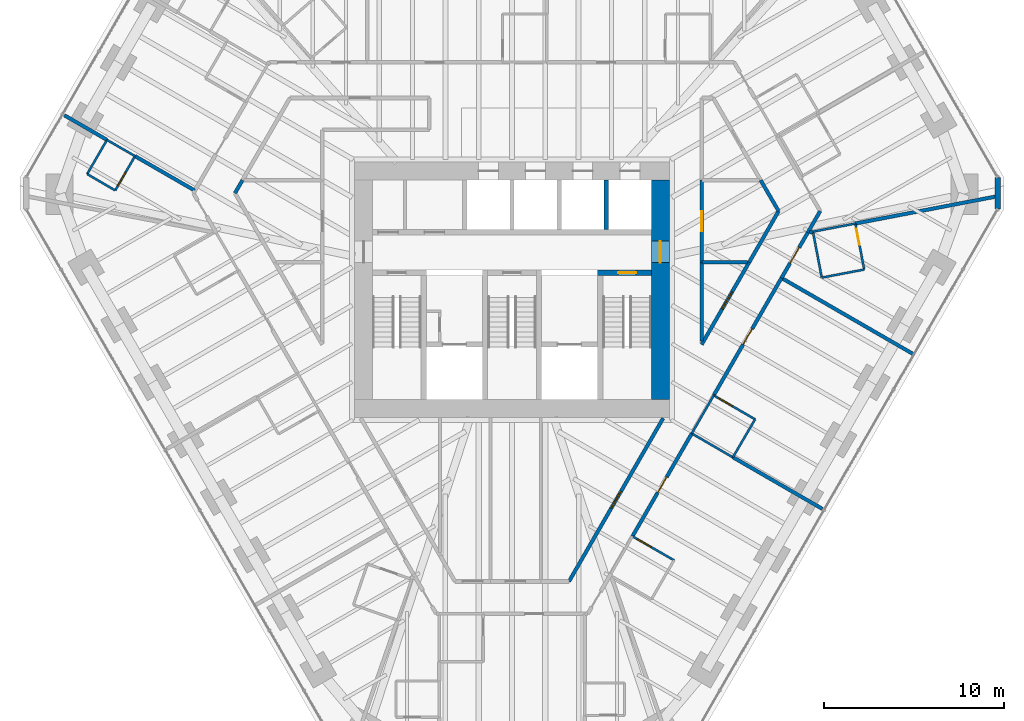
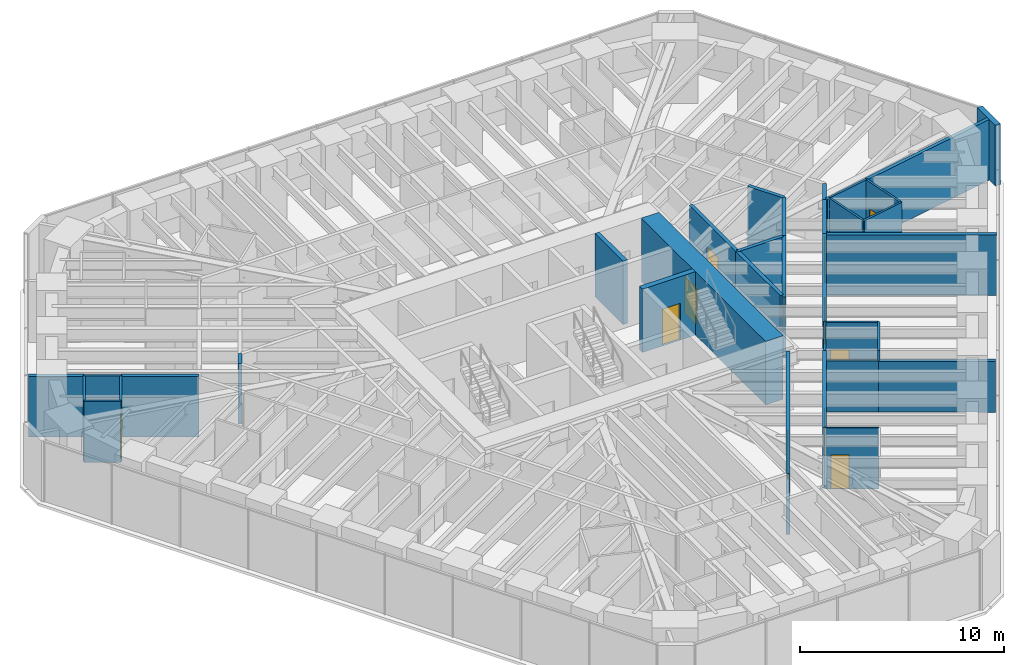
# One storey, part 13 of 16: 35 walls, 12 doors, 12 openings.
"""IFC4 building model written with IfcOpenShell, lengths in metres."""

from ifc_helpers import new_model, si_unit, direction, frame, frame_2d, origin, place, context, subcontext, project, spatial, rectangle, extrude, material, layer, layer_set, type_object, element, fill, save


model = new_model("IFC4")

# Units and contexts
model_context = context("Model", 3, precision=1e-05, world=origin(), true_north=direction((0.0, 1.0)))
body_context = subcontext(model_context, "Body", "Model", "MODEL_VIEW")
ifc_project = project(units=[si_unit("LENGTHUNIT", "METRE"), si_unit("AREAUNIT", "SQUARE_METRE"), si_unit("VOLUMEUNIT", "CUBIC_METRE"), si_unit("PLANEANGLEUNIT", "RADIAN"), si_unit("MASSUNIT", "GRAM", prefix="KILO")], contexts=[model_context])

# Site, building, storey
site_placement = place(None, origin())
site = spatial("IfcSite", under=ifc_project, at=site_placement, CompositionType="ELEMENT")
building_placement = place(site_placement, origin())
building = spatial("IfcBuilding", under=site, at=building_placement, Name="Sandreach Pilgrim Tower", CompositionType="ELEMENT")
storey_placement = place(building_placement, frame((0.0, 0.0, 209.800048828125)))
storey = spatial("IfcBuildingStorey", under=building, at=storey_placement, Name="L52", CompositionType="ELEMENT", Elevation=209.800048828125)

# Walls
ifc_material_1 = material(Name="Moisture-resistant gypsum board on steel studs", Category="steel")
ifc_layer_1 = layer(ifc_material_1, 0.1201171875)
ifc_layer_set_1 = layer_set([ifc_layer_1], Name="Bathroom partition 120")
wall_type_1 = type_object("IfcWallType", Name="Bathroom partition 120", PredefinedType="PARTITIONING", material=ifc_layer_set_1)
wall_1_placement = place(storey_placement, frame((-23.6298828125, 6.429931640625, 0.0), z_axis=(0.0, 0.0, 1.0), x_axis=(0.863773997337, -0.503879431535, 0.0)))
element("IfcWall", 1, at=wall_1_placement, inside=storey, type_object=wall_type_1, Name="Bathroom partition L52-003", PredefinedType="PARTITIONING", context=body_context, shape_type="SweptSolid", body=[
    extrude(rectangle(XDim=1.805908203125, YDim=0.1201171875, at=frame_2d((0.90283203125, 0.0))), origin(), (0.0, 0.0, 1.0), 3.639892578125),
])
wall_2_placement = place(storey_placement, frame((-22.530029296875, 8.330078125, 0.0), z_axis=(0.0, 0.0, 1.0), x_axis=(-0.500957366999, -0.865471961677, 0.0)))
element("IfcWall", 2, at=wall_2_placement, inside=storey, type_object=wall_type_1, Name="Bathroom partition L52-004", PredefinedType="PARTITIONING", context=body_context, shape_type="SweptSolid", body=[
    extrude(rectangle(XDim=2.195556640625, YDim=0.1201171875, at=frame_2d((1.09765625, 0.0))), origin(), (0.0, 0.0, 1.0), 3.639892578125),
])
wall_3_placement = place(storey_placement, frame((-22.530029296875, 8.330078125, 0.0), z_axis=(0.0, 0.0, 1.0), x_axis=(0.866158505053, -0.499769390944, 0.0)))
element("IfcWall", 3, at=wall_3_placement, inside=storey, type_object=wall_type_1, Name="Bathroom partition L52-005", PredefinedType="PARTITIONING", context=body_context, shape_type="SweptSolid", body=[
    extrude(rectangle(XDim=1.801025390625, YDim=0.1201171875, at=frame_2d((0.900390625, 0.0))), origin(), (0.0, 0.0, 1.0), 3.639892578125),
])

# Wall, opening, door
wall_4_placement = place(storey_placement, frame((-22.070068359375, 5.52001953125, 0.0), z_axis=(0.0, 0.0, 1.0), x_axis=(0.499118212815, 0.866533905648, 0.0)))
wall_4 = element("IfcWall", 4, at=wall_4_placement, inside=storey, type_object=wall_type_1, Name="Bathroom partition L52-006", PredefinedType="PARTITIONING", context=body_context, shape_type="SweptSolid", body=[
    extrude(rectangle(XDim=2.2041015625, YDim=0.1201171875, at=frame_2d((1.10205078125, 0.0))), origin(), (0.0, 0.0, 1.0), 3.639892578125),
])
opening_1_placement = place(wall_4_placement, frame((0.300048828125, 0.0, 0.0)))
opening_1 = element("IfcOpeningElement", 5, at=opening_1_placement, cuts=wall_4, Name="Opening D09-15B", PredefinedType="OPENING", context=body_context, shape_type="SweptSolid", body=[
    extrude(rectangle(XDim=0.89990234375, YDim=2.030029296875, at=frame_2d((0.449951171875, 1.01513671875))), frame((0.0, 0.06005859375, 0.0), z_axis=(0.0, -1.0, 0.0), x_axis=(1.0, 0.0, 0.0)), (0.0, 0.0, 1.0), 0.1201171875),
])
ifc_material_2 = material(Name="Timber door, steel frame", Category="steel")
door_type_1 = type_object("IfcDoorType", Name="Bathroom door", OperationType="SINGLE_SWING_LEFT", PredefinedType="DOOR", material=ifc_material_2)
door_1_placement = place(opening_1_placement, origin())
door_1 = element("IfcDoor", 6, at=door_1_placement, inside=storey, type_object=door_type_1, Name="Door 5215B", OperationType="SINGLE_SWING_LEFT", OverallHeight=2.030029296875, OverallWidth=0.89990234375, PredefinedType="DOOR", context=body_context, shape_type="SweptSolid", body=[
    extrude(rectangle(XDim=0.89990234375, YDim=2.030029296875, at=frame_2d((0.449951171875, 1.01513671875))), frame((0.0, 0.02490234375, 0.0), z_axis=(0.0, -1.0, 0.0), x_axis=(1.0, 0.0, 0.0)), (0.0, 0.0, 1.0), 0.050048828125),
])
fill(opening_1, door_1)

wall_5_placement = place(storey_placement, frame((9.010009765625, -15.050048828125, 0.0), z_axis=(0.0, 0.0, 1.0), x_axis=(-0.866615255992, 0.498976951453, 0.0)))
wall_5 = element("IfcWall", 7, at=wall_5_placement, inside=storey, type_object=wall_type_1, Name="Bathroom partition L52-105", PredefinedType="PARTITIONING", context=body_context, shape_type="SweptSolid", body=[
    extrude(rectangle(XDim=2.66552734375, YDim=0.1201171875, at=frame_2d((1.332763671875, 0.0))), origin(), (0.0, 0.0, 1.0), 3.639892578125),
])
opening_2_placement = place(wall_5_placement, frame((1.465576171875, 0.0, 0.0)))
opening_2 = element("IfcOpeningElement", 8, at=opening_2_placement, cuts=wall_5, Name="Opening D09-08B", PredefinedType="OPENING", context=body_context, shape_type="SweptSolid", body=[
    extrude(rectangle(XDim=0.89990234375, YDim=2.030029296875, at=frame_2d((0.449951171875, 1.01513671875))), frame((0.0, 0.06005859375, 0.0), z_axis=(0.0, -1.0, 0.0), x_axis=(1.0, 0.0, 0.0)), (0.0, 0.0, 1.0), 0.1201171875),
])
door_2_placement = place(opening_2_placement, origin())
door_2 = element("IfcDoor", 9, at=door_2_placement, inside=storey, type_object=door_type_1, Name="Door 5208B", OperationType="SINGLE_SWING_RIGHT", OverallHeight=2.030029296875, OverallWidth=0.89990234375, PredefinedType="DOOR", context=body_context, shape_type="SweptSolid", body=[
    extrude(rectangle(XDim=0.89990234375, YDim=2.030029296875, at=frame_2d((0.449951171875, 1.01513671875))), frame((0.0, 0.02490234375, 0.0), z_axis=(0.0, -1.0, 0.0), x_axis=(1.0, 0.0, 0.0)), (0.0, 0.0, 1.0), 0.050048828125),
])
fill(opening_2, door_2)

# Walls
wall_6_placement = place(storey_placement, frame((9.9990234375, -7.99951171875, 0.0), z_axis=(0.0, 0.0, 1.0), x_axis=(0.49917796633, 0.866499485245, 0.0)))
element("IfcWall", 10, at=wall_6_placement, inside=storey, type_object=wall_type_1, Name="Bathroom partition L52-106", PredefinedType="PARTITIONING", context=body_context, shape_type="SweptSolid", body=[
    extrude(rectangle(XDim=2.44580078125, YDim=0.1201171875, at=frame_2d((1.222900390625, 0.0))), origin(), (0.0, 0.0, 1.0), 3.639892578125),
])
wall_7_placement = place(storey_placement, frame((12.2900390625, -9.330078125, 0.0), z_axis=(0.0, 0.0, 1.0), x_axis=(-0.864726954997, 0.502242265546, 0.0)))
element("IfcWall", 11, at=wall_7_placement, inside=storey, type_object=wall_type_1, Name="Bathroom partition L52-118", PredefinedType="PARTITIONING", context=body_context, shape_type="SweptSolid", body=[
    extrude(rectangle(XDim=2.648193359375, YDim=0.1201171875, at=frame_2d((1.32421875, 0.0))), origin(), (0.0, 0.0, 1.0), 3.0380859375),
])
wall_8_placement = place(storey_placement, frame((12.2900390625, -9.320068359375, 0.0), z_axis=(0.0, 0.0, 1.0), x_axis=(0.503591322258, 0.863942000453, 0.0)))
element("IfcWall", 12, at=wall_8_placement, inside=storey, type_object=wall_type_1, Name="Bathroom partition L52-119", PredefinedType="PARTITIONING", context=body_context, shape_type="SweptSolid", body=[
    extrude(rectangle(XDim=2.4423828125, YDim=0.1201171875, at=frame_2d((1.22119140625, 0.0))), origin(), (0.0, 0.0, 1.0), 3.639892578125),
])

# Wall, opening, door
wall_9_placement = place(storey_placement, frame((13.52001953125, -7.2099609375, 0.0), z_axis=(0.0, 0.0, 1.0), x_axis=(-0.865675724273, 0.500605174168, 0.0)))
wall_9 = element("IfcWall", 13, at=wall_9_placement, inside=storey, type_object=wall_type_1, Name="Bathroom partition L52-124", PredefinedType="PARTITIONING", context=body_context, shape_type="SweptSolid", body=[
    extrude(rectangle(XDim=2.656982421875, YDim=0.1201171875, at=frame_2d((1.32861328125, 0.0))), origin(), (0.0, 0.0, 1.0), 3.639892578125),
])
opening_3_placement = place(wall_9_placement, frame((1.456787109375, 0.0, 0.0)))
opening_3 = element("IfcOpeningElement", 14, at=opening_3_placement, cuts=wall_9, Name="Opening D09-07B", PredefinedType="OPENING", context=body_context, shape_type="SweptSolid", body=[
    extrude(rectangle(XDim=0.89990234375, YDim=2.030029296875, at=frame_2d((0.449951171875, 1.01513671875))), frame((0.0, 0.06005859375, 0.0), z_axis=(0.0, -1.0, 0.0), x_axis=(1.0, 0.0, 0.0)), (0.0, 0.0, 1.0), 0.1201171875),
])
door_3_placement = place(opening_3_placement, origin())
door_3 = element("IfcDoor", 15, at=door_3_placement, inside=storey, type_object=door_type_1, Name="Door 5207B", OperationType="SINGLE_SWING_RIGHT", OverallHeight=2.030029296875, OverallWidth=0.89990234375, PredefinedType="DOOR", context=body_context, shape_type="SweptSolid", body=[
    extrude(rectangle(XDim=0.89990234375, YDim=2.030029296875, at=frame_2d((0.449951171875, 1.01513671875))), frame((0.0, 0.02490234375, 0.0), z_axis=(0.0, -1.0, 0.0), x_axis=(1.0, 0.0, 0.0)), (0.0, 0.0, 1.0), 0.050048828125),
])
fill(opening_3, door_3)

# Walls
wall_10_placement = place(storey_placement, frame((16.739013671875, 3.22509765625, 0.0), z_axis=(0.0, 0.0, 1.0), x_axis=(0.981946287277, 0.189159955868, 0.0)))
element("IfcWall", 16, at=wall_10_placement, inside=storey, type_object=wall_type_1, Name="Bathroom partition L52-137", PredefinedType="PARTITIONING", context=body_context, shape_type="SweptSolid", body=[
    extrude(rectangle(XDim=2.404541015625, YDim=0.1201171875, at=frame_2d((1.2021484375, 0.0))), origin(), (0.0, 0.0, 1.0), 3.639892578125),
])
wall_11_placement = place(storey_placement, frame((16.739990234375, 3.219970703125, 0.0), z_axis=(0.0, 0.0, 1.0), x_axis=(0.188697442844, -0.982035271802, 0.0)))
element("IfcWall", 17, at=wall_11_placement, inside=storey, type_object=wall_type_1, Name="Bathroom partition L52-138", PredefinedType="PARTITIONING", context=body_context, shape_type="SweptSolid", body=[
    extrude(rectangle(XDim=2.5966796875, YDim=0.1201171875, at=frame_2d((1.29833984375, 0.0))), origin(), (0.0, 0.0, 1.0), 3.639892578125),
])
wall_12_placement = place(storey_placement, frame((17.22998046875, 0.669921875, 0.0), z_axis=(0.0, 0.0, 1.0), x_axis=(0.982288725898, 0.187373581313, 0.0)))
element("IfcWall", 18, at=wall_12_placement, inside=storey, type_object=wall_type_1, Name="Bathroom partition L52-143", PredefinedType="PARTITIONING", context=body_context, shape_type="SweptSolid", body=[
    extrude(rectangle(XDim=2.402587890625, YDim=0.1201171875, at=frame_2d((1.201171875, 0.0))), origin(), (0.0, 0.0, 1.0), 3.639892578125),
])

# Wall, opening, door
wall_13_placement = place(storey_placement, frame((19.590087890625, 1.1201171875, 0.0), z_axis=(0.0, 0.0, 1.0), x_axis=(-0.188003058159, 0.982168442846, 0.0)))
wall_13 = element("IfcWall", 19, at=wall_13_placement, inside=storey, type_object=wall_type_1, Name="Bathroom partition L52-146", PredefinedType="PARTITIONING", context=body_context, shape_type="SweptSolid", body=[
    extrude(rectangle(XDim=2.606201171875, YDim=0.1201171875, at=frame_2d((1.30322265625, 0.0))), origin(), (0.0, 0.0, 1.0), 3.639892578125),
])
opening_4_placement = place(wall_13_placement, frame((1.406494140625, 0.0, 0.0)))
opening_4 = element("IfcOpeningElement", 20, at=opening_4_placement, cuts=wall_13, Name="Opening D09-06B", PredefinedType="OPENING", context=body_context, shape_type="SweptSolid", body=[
    extrude(rectangle(XDim=0.89990234375, YDim=2.030029296875, at=frame_2d((0.449951171875, 1.01513671875))), frame((0.0, 0.06005859375, 0.0), z_axis=(0.0, -1.0, 0.0), x_axis=(1.0, 0.0, 0.0)), (0.0, 0.0, 1.0), 0.1201171875),
])
door_4_placement = place(opening_4_placement, origin())
door_4 = element("IfcDoor", 21, at=door_4_placement, inside=storey, type_object=door_type_1, Name="Door 5206B", OperationType="SINGLE_SWING_RIGHT", OverallHeight=2.030029296875, OverallWidth=0.89990234375, PredefinedType="DOOR", context=body_context, shape_type="SweptSolid", body=[
    extrude(rectangle(XDim=0.89990234375, YDim=2.030029296875, at=frame_2d((0.449951171875, 1.01513671875))), frame((0.0, 0.02490234375, 0.0), z_axis=(0.0, -1.0, 0.0), x_axis=(1.0, 0.0, 0.0)), (0.0, 0.0, 1.0), 0.050048828125),
])
fill(opening_4, door_4)

ifc_material_3 = material(Name="Concrete 10000 psi", Category="concrete")
ifc_layer_2 = layer(ifc_material_3, 0.300048828125)
ifc_layer_set_2 = layer_set([ifc_layer_2], Name="Core inner wall 300")
wall_type_2 = type_object("IfcWallType", Name="Core inner wall 300", PredefinedType="SHEAR", material=ifc_layer_set_2)
wall_14_placement = place(storey_placement, frame((4.75, 0.949951171875, 0.0), z_axis=(0.0, 0.0, 1.0), x_axis=(1.0, 0.0, 0.0)))
wall_14 = element("IfcWall", 22, at=wall_14_placement, inside=storey, type_object=wall_type_2, Name="Core wall SN2 L52", PredefinedType="SHEAR", context=body_context, shape_type="SweptSolid", body=[
    extrude(rectangle(XDim=3.0, YDim=0.300048828125, at=frame_2d((1.5, 0.0))), origin(), (0.0, 0.0, 1.0), 3.800048828125),
])
opening_5_placement = place(wall_14_placement, frame((1.14990234375, 0.0, 0.0)))
opening_5 = element("IfcOpeningElement", 23, at=opening_5_placement, cuts=wall_14, Name="Opening D10S-ST2", PredefinedType="OPENING", context=body_context, shape_type="SweptSolid", body=[
    extrude(rectangle(XDim=1.0, YDim=2.199951171875, at=frame_2d((0.5, 1.10009765625))), frame((0.0, 0.14990234375, 0.0), z_axis=(0.0, -1.0, 0.0), x_axis=(1.0, 0.0, 0.0)), (0.0, 0.0, 1.0), 0.300048828125),
])
ifc_material_4 = material(Name="Steel door and frame", Category="steel")
door_type_2 = type_object("IfcDoorType", Name="Stair door", OperationType="SINGLE_SWING_LEFT", PredefinedType="DOOR", material=ifc_material_4)
door_5_placement = place(opening_5_placement, origin())
door_5 = element("IfcDoor", 24, at=door_5_placement, inside=storey, type_object=door_type_2, Name="Stair door ST2 L52", OperationType="SINGLE_SWING_RIGHT", OverallHeight=2.199951171875, OverallWidth=1.0, PredefinedType="DOOR", context=body_context, shape_type="SweptSolid", body=[
    extrude(rectangle(XDim=1.0, YDim=2.199951171875, at=frame_2d((0.5, 1.10009765625))), frame((0.0, 0.02490234375, 0.0), z_axis=(0.0, -1.0, 0.0), x_axis=(1.0, 0.0, 0.0)), (0.0, 0.0, 1.0), 0.050048828125),
])
fill(opening_5, door_5)

ifc_material_5 = material(Name="Concrete 10000 psi", Category="concrete")
ifc_layer_3 = layer(ifc_material_5, 1.0)
ifc_layer_set_3 = layer_set([ifc_layer_3], Name="Core wall 1000")
wall_type_3 = type_object("IfcWallType", Name="Core wall 1000", PredefinedType="SHEAR", material=ifc_layer_set_3)
wall_15_placement = place(storey_placement, frame((8.25, -6.10009765625, 0.0), z_axis=(0.0, 0.0, 1.0), x_axis=(0.0, 1.0, 0.0)))
wall_15 = element("IfcWall", 25, at=wall_15_placement, inside=storey, type_object=wall_type_3, Name="Core wall E L52", PredefinedType="SHEAR", context=body_context, shape_type="SweptSolid", body=[
    extrude(rectangle(XDim=12.2001953125, YDim=1.0, at=frame_2d((6.10009765625, 0.0))), origin(), (0.0, 0.0, 1.0), 3.800048828125),
])
opening_6_placement = place(wall_15_placement, frame((7.60009765625, 0.0, 0.0)))
opening_6 = element("IfcOpeningElement", 26, at=opening_6_placement, cuts=wall_15, Name="Opening D12F-E", PredefinedType="OPENING", context=body_context, shape_type="SweptSolid", body=[
    extrude(rectangle(XDim=1.199951171875, YDim=2.199951171875, at=frame_2d((0.60009765625, 1.10009765625))), frame((0.0, 0.5, 0.0), z_axis=(0.0, -1.0, 0.0), x_axis=(1.0, 0.0, 0.0)), (0.0, 0.0, 1.0), 1.0),
])
ifc_material_6 = material(Name="Steel door and frame", Category="steel")
door_type_3 = type_object("IfcDoorType", Name="Fire lobby door", OperationType="SINGLE_SWING_LEFT", PredefinedType="DOOR", material=ifc_material_6)
door_6_placement = place(opening_6_placement, origin())
door_6 = element("IfcDoor", 27, at=door_6_placement, inside=storey, type_object=door_type_3, Name="Fire service lobby door E L52", OperationType="SINGLE_SWING_RIGHT", OverallHeight=2.199951171875, OverallWidth=1.199951171875, PredefinedType="DOOR", context=body_context, shape_type="SweptSolid", body=[
    extrude(rectangle(XDim=1.199951171875, YDim=2.199951171875, at=frame_2d((0.60009765625, 1.10009765625))), frame((0.0, 0.02490234375, 0.0), z_axis=(0.0, -1.0, 0.0), x_axis=(1.0, 0.0, 0.0)), (0.0, 0.0, 1.0), 0.050048828125),
])
fill(opening_6, door_6)

# Wall
ifc_material_7 = material(Name="Gypsum board on steel studs, two layers each side", Category="steel")
ifc_layer_4 = layer(ifc_material_7, 0.199951171875)
ifc_layer_set_4 = layer_set([ifc_layer_4], Name="Corridor wall 200")
wall_type_4 = type_object("IfcWallType", Name="Corridor wall 200", PredefinedType="PARTITIONING", material=ifc_layer_set_4)
wall_16_placement = place(storey_placement, frame((-15.409912109375, 5.3701171875, 0.0), z_axis=(0.0, 0.0, 1.0), x_axis=(0.503943891868, 0.863736391412, 0.0)))
element("IfcWall", 28, at=wall_16_placement, inside=storey, type_object=wall_type_4, Name="Corridor wall L52-026", PredefinedType="PARTITIONING", context=body_context, shape_type="SweptSolid", body=[
    extrude(rectangle(XDim=0.833251953125, YDim=0.199951171875, at=frame_2d((0.41650390625, 0.0))), origin(), (0.0, 0.0, 1.0), 3.639892578125),
])

# Wall, opening, door
wall_17_placement = place(storey_placement, frame((6.699951171875, -13.719970703125, 0.0), z_axis=(0.0, 0.0, 1.0), x_axis=(0.499729921425, 0.866181277581, 0.0)))
wall_17 = element("IfcWall", 29, at=wall_17_placement, inside=storey, type_object=wall_type_4, Name="Corridor wall L52-100", PredefinedType="PARTITIONING", context=body_context, shape_type="SweptSolid", body=[
    extrude(rectangle(XDim=6.603759765625, YDim=0.199951171875, at=frame_2d((3.3017578125, 0.0))), origin(), (0.0, 0.0, 1.0), 3.639892578125),
])
opening_7_placement = place(wall_17_placement, frame((2.8017578125, 0.0, 0.0)))
opening_7 = element("IfcOpeningElement", 30, at=opening_7_placement, cuts=wall_17, Name="Opening D10-08", PredefinedType="OPENING", context=body_context, shape_type="SweptSolid", body=[
    extrude(rectangle(XDim=1.0, YDim=2.1298828125, at=frame_2d((0.5, 1.06494140625))), frame((0.0, 0.10009765625, 0.0), z_axis=(0.0, -1.0, 0.0), x_axis=(1.0, 0.0, 0.0)), (0.0, 0.0, 1.0), 0.199951171875),
])
ifc_material_8 = material(Name="Steel door and frame", Category="steel")
door_type_4 = type_object("IfcDoorType", Name="Guest room entry door", OperationType="SINGLE_SWING_LEFT", PredefinedType="DOOR", material=ifc_material_8)
door_7_placement = place(opening_7_placement, origin())
door_7 = element("IfcDoor", 31, at=door_7_placement, inside=storey, type_object=door_type_4, Name="Door 5208", OperationType="SINGLE_SWING_LEFT", OverallHeight=2.1298828125, OverallWidth=1.0, PredefinedType="DOOR", context=body_context, shape_type="SweptSolid", body=[
    extrude(rectangle(XDim=1.0, YDim=2.1298828125, at=frame_2d((0.5, 1.06494140625))), frame((0.0, 0.02490234375, 0.0), z_axis=(0.0, -1.0, 0.0), x_axis=(1.0, 0.0, 0.0)), (0.0, 0.0, 1.0), 0.050048828125),
])
fill(opening_7, door_7)

wall_18_placement = place(storey_placement, frame((8.409912109375, -7.14990234375, 0.0), z_axis=(0.0, 0.0, 1.0), x_axis=(-0.499828628176, -0.866124322748, 0.0)))
wall_18 = element("IfcWall", 32, at=wall_18_placement, inside=storey, type_object=wall_type_4, Name="Corridor wall L52-102", PredefinedType="PARTITIONING", context=body_context, shape_type="SweptSolid", body=[
    extrude(rectangle(XDim=10.483642578125, YDim=0.199951171875, at=frame_2d((5.24169921875, 0.0))), origin(), (0.0, 0.0, 1.0), 3.639892578125),
])
opening_8_placement = place(wall_18_placement, frame((4.691650390625, 0.0, 0.0)))
opening_8 = element("IfcOpeningElement", 33, at=opening_8_placement, cuts=wall_18, Name="Opening D11H-S4", PredefinedType="OPENING", context=body_context, shape_type="SweptSolid", body=[
    extrude(rectangle(XDim=1.10009765625, YDim=2.199951171875, at=frame_2d((0.550048828125, 1.10009765625))), frame((0.0, 0.10009765625, 0.0), z_axis=(0.0, -1.0, 0.0), x_axis=(1.0, 0.0, 0.0)), (0.0, 0.0, 1.0), 0.199951171875),
])
ifc_material_9 = material(Name="Steel door and frame", Category="steel")
door_type_5 = type_object("IfcDoorType", Name="Back of house door", OperationType="SINGLE_SWING_LEFT", PredefinedType="DOOR", material=ifc_material_9)
door_8_placement = place(opening_8_placement, origin())
door_8 = element("IfcDoor", 34, at=door_8_placement, inside=storey, type_object=door_type_5, Name="Door 52S4", OperationType="SINGLE_SWING_LEFT", OverallHeight=2.199951171875, OverallWidth=1.10009765625, PredefinedType="DOOR", context=body_context, shape_type="SweptSolid", body=[
    extrude(rectangle(XDim=1.10009765625, YDim=2.199951171875, at=frame_2d((0.550048828125, 1.10009765625))), frame((0.0, 0.02490234375, 0.0), z_axis=(0.0, -1.0, 0.0), x_axis=(1.0, 0.0, 0.0)), (0.0, 0.0, 1.0), 0.050048828125),
])
fill(opening_8, door_8)

# Wall
wall_19_placement = place(storey_placement, frame((10.550048828125, -2.85498046875, 0.0), z_axis=(0.0, 0.0, 1.0), x_axis=(0.0, 1.0, 0.0)))
element("IfcWall", 35, at=wall_19_placement, inside=storey, type_object=wall_type_4, Name="Corridor wall L52-107", PredefinedType="PARTITIONING", context=body_context, shape_type="SweptSolid", body=[
    extrude(rectangle(XDim=4.375, YDim=0.199951171875, at=frame_2d((2.1875, 0.0))), origin(), (0.0, 0.0, 1.0), 3.639892578125),
])

# Wall, opening, door
wall_20_placement = place(storey_placement, frame((10.550048828125, 1.52001953125, 0.0), z_axis=(0.0, 0.0, 1.0), x_axis=(0.0, 1.0, 0.0)))
wall_20 = element("IfcWall", 36, at=wall_20_placement, inside=storey, type_object=wall_type_4, Name="Corridor wall L52-108", PredefinedType="PARTITIONING", context=body_context, shape_type="SweptSolid", body=[
    extrude(rectangle(XDim=4.570068359375, YDim=0.199951171875, at=frame_2d((2.28515625, 0.0))), origin(), (0.0, 0.0, 1.0), 3.639892578125),
])
opening_9_placement = place(wall_20_placement, frame((1.735107421875, 0.0, 0.0)))
opening_9 = element("IfcOpeningElement", 37, at=opening_9_placement, cuts=wall_20, Name="Opening D11H-M06", PredefinedType="OPENING", context=body_context, shape_type="SweptSolid", body=[
    extrude(rectangle(XDim=1.10009765625, YDim=2.199951171875, at=frame_2d((0.550048828125, 1.10009765625))), frame((0.0, 0.10009765625, 0.0), z_axis=(0.0, -1.0, 0.0), x_axis=(1.0, 0.0, 0.0)), (0.0, 0.0, 1.0), 0.199951171875),
])
door_9_placement = place(opening_9_placement, origin())
door_9 = element("IfcDoor", 38, at=door_9_placement, inside=storey, type_object=door_type_5, Name="Door 52M06", OperationType="SINGLE_SWING_LEFT", OverallHeight=2.199951171875, OverallWidth=1.10009765625, PredefinedType="DOOR", context=body_context, shape_type="SweptSolid", body=[
    extrude(rectangle(XDim=1.10009765625, YDim=2.199951171875, at=frame_2d((0.550048828125, 1.10009765625))), frame((0.0, 0.02490234375, 0.0), z_axis=(0.0, -1.0, 0.0), x_axis=(1.0, 0.0, 0.0)), (0.0, 0.0, 1.0), 0.050048828125),
])
fill(opening_9, door_9)

wall_21_placement = place(storey_placement, frame((11.219970703125, -5.8798828125, 0.0), z_axis=(0.0, 0.0, 1.0), x_axis=(0.500004606796, 0.866022744033, 0.0)))
wall_21 = element("IfcWall", 39, at=wall_21_placement, inside=storey, type_object=wall_type_4, Name="Corridor wall L52-117", PredefinedType="PARTITIONING", context=body_context, shape_type="SweptSolid", body=[
    extrude(rectangle(XDim=7.5400390625, YDim=0.199951171875, at=frame_2d((3.77001953125, 0.0))), origin(), (0.0, 0.0, 1.0), 3.639892578125),
])
opening_10_placement = place(wall_21_placement, frame((3.27001953125, 0.0, 0.0)))
opening_10 = element("IfcOpeningElement", 40, at=opening_10_placement, cuts=wall_21, Name="Opening D10-07", PredefinedType="OPENING", context=body_context, shape_type="SweptSolid", body=[
    extrude(rectangle(XDim=1.0, YDim=2.1298828125, at=frame_2d((0.5, 1.06494140625))), frame((0.0, 0.10009765625, 0.0), z_axis=(0.0, -1.0, 0.0), x_axis=(1.0, 0.0, 0.0)), (0.0, 0.0, 1.0), 0.199951171875),
])
door_10_placement = place(opening_10_placement, origin())
door_10 = element("IfcDoor", 41, at=door_10_placement, inside=storey, type_object=door_type_4, Name="Door 5207", OperationType="SINGLE_SWING_LEFT", OverallHeight=2.1298828125, OverallWidth=1.0, PredefinedType="DOOR", context=body_context, shape_type="SweptSolid", body=[
    extrude(rectangle(XDim=1.0, YDim=2.1298828125, at=frame_2d((0.5, 1.06494140625))), frame((0.0, 0.02490234375, 0.0), z_axis=(0.0, -1.0, 0.0), x_axis=(1.0, 0.0, 0.0)), (0.0, 0.0, 1.0), 0.050048828125),
])
fill(opening_10, door_10)

wall_22_placement = place(storey_placement, frame((13.18994140625, 1.52001953125, 0.0), z_axis=(0.0, 0.0, 1.0), x_axis=(-0.500193590286, -0.865913605527, 0.0)))
wall_22 = element("IfcWall", 42, at=wall_22_placement, inside=storey, type_object=wall_type_4, Name="Corridor wall L52-123", PredefinedType="PARTITIONING", context=body_context, shape_type="SweptSolid", body=[
    extrude(rectangle(XDim=5.27783203125, YDim=0.199951171875, at=frame_2d((2.638916015625, 0.0))), origin(), (0.0, 0.0, 1.0), 3.639892578125),
])
opening_11_placement = place(wall_22_placement, frame((1.89990234375, 0.0, 0.0)))
opening_11 = element("IfcOpeningElement", 43, at=opening_11_placement, cuts=wall_22, Name="Opening D11H-M04", PredefinedType="OPENING", context=body_context, shape_type="SweptSolid", body=[
    extrude(rectangle(XDim=1.10009765625, YDim=2.199951171875, at=frame_2d((0.550048828125, 1.10009765625))), frame((0.0, 0.10009765625, 0.0), z_axis=(0.0, -1.0, 0.0), x_axis=(1.0, 0.0, 0.0)), (0.0, 0.0, 1.0), 0.199951171875),
])
door_11_placement = place(opening_11_placement, origin())
door_11 = element("IfcDoor", 44, at=door_11_placement, inside=storey, type_object=door_type_5, Name="Door 52M04", OperationType="SINGLE_SWING_LEFT", OverallHeight=2.199951171875, OverallWidth=1.10009765625, PredefinedType="DOOR", context=body_context, shape_type="SweptSolid", body=[
    extrude(rectangle(XDim=1.10009765625, YDim=2.199951171875, at=frame_2d((0.550048828125, 1.10009765625))), frame((0.0, 0.02490234375, 0.0), z_axis=(0.0, -1.0, 0.0), x_axis=(1.0, 0.0, 0.0)), (0.0, 0.0, 1.0), 0.050048828125),
])
fill(opening_11, door_11)

# Walls
wall_23_placement = place(storey_placement, frame((13.830078125, 6.090087890625, 0.0), z_axis=(0.0, 0.0, 1.0), x_axis=(0.502573539539, -0.864534462792, 0.0)))
element("IfcWall", 45, at=wall_23_placement, inside=storey, type_object=wall_type_4, Name="Corridor wall L52-127", PredefinedType="PARTITIONING", context=body_context, shape_type="SweptSolid", body=[
    extrude(rectangle(XDim=1.98974609375, YDim=0.199951171875, at=frame_2d((0.994873046875, 0.0))), origin(), (0.0, 0.0, 1.0), 3.639892578125),
])
wall_24_placement = place(storey_placement, frame((14.830078125, 4.3701171875, 0.0), z_axis=(0.0, 0.0, 1.0), x_axis=(-0.498775186059, -0.866731396554, 0.0)))
element("IfcWall", 46, at=wall_24_placement, inside=storey, type_object=wall_type_4, Name="Corridor wall L52-129", PredefinedType="PARTITIONING", context=body_context, shape_type="SweptSolid", body=[
    extrude(rectangle(XDim=3.288330078125, YDim=0.199951171875, at=frame_2d((1.64404296875, 0.0))), origin(), (0.0, 0.0, 1.0), 3.639892578125),
])

# Wall, opening, door
wall_25_placement = place(storey_placement, frame((14.989990234375, 0.650146484375, 0.0), z_axis=(0.0, 0.0, 1.0), x_axis=(0.501330358107, 0.865255957529, 0.0)))
wall_25 = element("IfcWall", 47, at=wall_25_placement, inside=storey, type_object=wall_type_4, Name="Corridor wall L52-132", PredefinedType="PARTITIONING", context=body_context, shape_type="SweptSolid", body=[
    extrude(rectangle(XDim=2.912109375, YDim=0.199951171875, at=frame_2d((1.4560546875, 0.0))), origin(), (0.0, 0.0, 1.0), 3.639892578125),
])
opening_12_placement = place(wall_25_placement, frame((0.956298828125, 0.0, 0.0)))
opening_12 = element("IfcOpeningElement", 48, at=opening_12_placement, cuts=wall_25, Name="Opening D10-06", PredefinedType="OPENING", context=body_context, shape_type="SweptSolid", body=[
    extrude(rectangle(XDim=1.0, YDim=2.1298828125, at=frame_2d((0.5, 1.06494140625))), frame((0.0, 0.10009765625, 0.0), z_axis=(0.0, -1.0, 0.0), x_axis=(1.0, 0.0, 0.0)), (0.0, 0.0, 1.0), 0.199951171875),
])
door_12_placement = place(opening_12_placement, origin())
door_12 = element("IfcDoor", 49, at=door_12_placement, inside=storey, type_object=door_type_4, Name="Door 5206", OperationType="SINGLE_SWING_LEFT", OverallHeight=2.1298828125, OverallWidth=1.0, PredefinedType="DOOR", context=body_context, shape_type="SweptSolid", body=[
    extrude(rectangle(XDim=1.0, YDim=2.1298828125, at=frame_2d((0.5, 1.06494140625))), frame((0.0, 0.02490234375, 0.0), z_axis=(0.0, -1.0, 0.0), x_axis=(1.0, 0.0, 0.0)), (0.0, 0.0, 1.0), 0.050048828125),
])
fill(opening_12, door_12)

# Walls
wall_26_placement = place(storey_placement, frame((16.449951171875, 3.169921875, 0.0), z_axis=(0.0, 0.0, 1.0), x_axis=(0.49845455473, 0.866915830325, 0.0)))
element("IfcWall", 50, at=wall_26_placement, inside=storey, type_object=wall_type_4, Name="Corridor wall L52-135", PredefinedType="PARTITIONING", context=body_context, shape_type="SweptSolid", body=[
    extrude(rectangle(XDim=1.38427734375, YDim=0.199951171875, at=frame_2d((0.692138671875, 0.0))), origin(), (0.0, 0.0, 1.0), 3.639892578125),
])
ifc_material_10 = material(Name="Double steel stud acoustic wall, gypsum board", Category="steel")
ifc_layer_5 = layer(ifc_material_10, 0.199951171875)
ifc_layer_set_5 = layer_set([ifc_layer_5], Name="Party wall 200")
wall_type_5 = type_object("IfcWallType", Name="Party wall 200", PredefinedType="PARTITIONING", material=ifc_layer_set_5)
wall_27_placement = place(storey_placement, frame((-24.896240234375, 9.699951171875, 0.0), z_axis=(0.0, 0.0, 1.0), x_axis=(0.865432398871, -0.501025710902, 0.0)))
element("IfcWall", 51, at=wall_27_placement, inside=storey, type_object=wall_type_5, Name="Party wall L52-002", PredefinedType="PARTITIONING", context=body_context, shape_type="SweptSolid", body=[
    extrude(rectangle(XDim=2.734130859375, YDim=0.199951171875, at=frame_2d((1.3671875, 0.0))), origin(), (0.0, 0.0, 1.0), 3.639892578125),
])
wall_28_placement = place(storey_placement, frame((-20.969970703125, 7.429931640625, 0.0), z_axis=(0.0, 0.0, 1.0), x_axis=(0.866325681624, -0.499479542482, 0.0)))
element("IfcWall", 52, at=wall_28_placement, inside=storey, type_object=wall_type_5, Name="Party wall L52-007", PredefinedType="PARTITIONING", context=body_context, shape_type="SweptSolid", body=[
    extrude(rectangle(XDim=3.82861328125, YDim=0.199951171875, at=frame_2d((1.914306640625, 0.0))), origin(), (0.0, 0.0, 1.0), 3.639892578125),
])
wall_29_placement = place(storey_placement, frame((10.56005859375, 1.52001953125, 0.0), z_axis=(0.0, 0.0, 1.0), x_axis=(1.0, 0.0, 0.0)))
element("IfcWall", 53, at=wall_29_placement, inside=storey, type_object=wall_type_5, Name="Party wall L52-110", PredefinedType="PARTITIONING", context=body_context, shape_type="SweptSolid", body=[
    extrude(rectangle(XDim=2.550048828125, YDim=0.199951171875, at=frame_2d((1.27490234375, 0.0))), origin(), (0.0, 0.0, 1.0), 3.639892578125),
])
wall_30_placement = place(storey_placement, frame((12.2900390625, -9.320068359375, 0.0), z_axis=(0.0, 0.0, 1.0), x_axis=(0.865820408554, -0.500354894182, 0.0)))
element("IfcWall", 54, at=wall_30_placement, inside=storey, type_object=wall_type_5, Name="Party wall L52-120", PredefinedType="PARTITIONING", context=body_context, shape_type="SweptSolid", body=[
    extrude(rectangle(XDim=5.735595703125, YDim=0.199951171875, at=frame_2d((2.86767578125, 0.0))), origin(), (0.0, 0.0, 1.0), 3.0380859375),
])
wall_31_placement = place(storey_placement, frame((16.548583984375, 3.18701171875, 0.0), z_axis=(0.0, 0.0, 1.0), x_axis=(0.985496381106, 0.169696443175, 0.0)))
element("IfcWall", 55, at=wall_31_placement, inside=storey, type_object=wall_type_5, Name="Party wall L52-136", PredefinedType="PARTITIONING", context=body_context, shape_type="SweptSolid", body=[
    extrude(rectangle(XDim=0.1943359375, YDim=0.199951171875, at=frame_2d((0.09716796875, 0.0))), origin(), (0.0, 0.0, 1.0), 3.639892578125),
])
wall_32_placement = place(storey_placement, frame((19.10009765625, 3.679931640625, 0.0), z_axis=(0.0, 0.0, 1.0), x_axis=(0.982065840923, 0.188538282829, 0.0)))
element("IfcWall", 56, at=wall_32_placement, inside=storey, type_object=wall_type_5, Name="Party wall L52-145", PredefinedType="PARTITIONING", context=body_context, shape_type="SweptSolid", body=[
    extrude(rectangle(XDim=8.08544921875, YDim=0.199951171875, at=frame_2d((4.042724609375, 0.0))), origin(), (0.0, 0.0, 1.0), 3.639892578125),
])
wall_33_placement = place(storey_placement, frame((22.323974609375, -3.5849609375, 0.0), z_axis=(0.0, 0.0, 1.0), x_axis=(-0.865987918257, 0.500064921217, 0.0)))
element("IfcWall", 57, at=wall_33_placement, inside=storey, type_object=wall_type_5, Name="Party wall L52-147", PredefinedType="PARTITIONING", context=body_context, shape_type="SweptSolid", body=[
    extrude(rectangle(XDim=8.4541015625, YDim=0.199951171875, at=frame_2d((4.22705078125, 0.0))), origin(), (0.0, 0.0, 1.0), 3.639892578125),
])
ifc_material_11 = material(Name="Gypsum shaft wall on steel studs, two layers of shaft liner board", Category="steel")
ifc_layer_6 = layer(ifc_material_11, 0.25)
ifc_layer_set_6 = layer_set([ifc_layer_6], Name="Shaft partition 250")
wall_type_6 = type_object("IfcWallType", Name="Shaft partition 250", PredefinedType="PARTITIONING", material=ifc_layer_set_6)
wall_34_placement = place(storey_placement, frame((5.25, 3.35009765625, 0.0), z_axis=(0.0, 0.0, 1.0), x_axis=(0.0, 1.0, 0.0)))
element("IfcWall", 58, at=wall_34_placement, inside=storey, type_object=wall_type_6, Name="Shaft partition NS4 L52", PredefinedType="PARTITIONING", context=body_context, shape_type="SweptSolid", body=[
    extrude(rectangle(XDim=2.75, YDim=0.25, at=frame_2d((1.375, 0.0))), origin(), (0.0, 0.0, 1.0), 3.800048828125),
])
ifc_material_12 = material(Name="Terracotta rainscreen on concrete", Category="masonry")
ifc_layer_7 = layer(ifc_material_12, 0.300048828125)
ifc_layer_set_7 = layer_set([ifc_layer_7], Name="Terracotta chamfer pier")
wall_type_7 = type_object("IfcWallType", Name="Terracotta chamfer pier", PredefinedType="SOLIDWALL", material=ifc_layer_set_7)
wall_35_placement = place(storey_placement, frame((27.02001953125, 6.25, 0.0), z_axis=(0.0, 0.0, 1.0), x_axis=(0.0, -1.0, 0.0)))
element("IfcWall", 59, at=wall_35_placement, inside=storey, type_object=wall_type_7, Name="Chamfer pier L52 NE", PredefinedType="SOLIDWALL", context=body_context, shape_type="SweptSolid", body=[
    extrude(rectangle(XDim=1.77001953125, YDim=0.300048828125, at=frame_2d((0.885009765625, 0.0))), origin(), (0.0, 0.0, 1.0), 3.639892578125),
])

save(model, "model.ifc")
